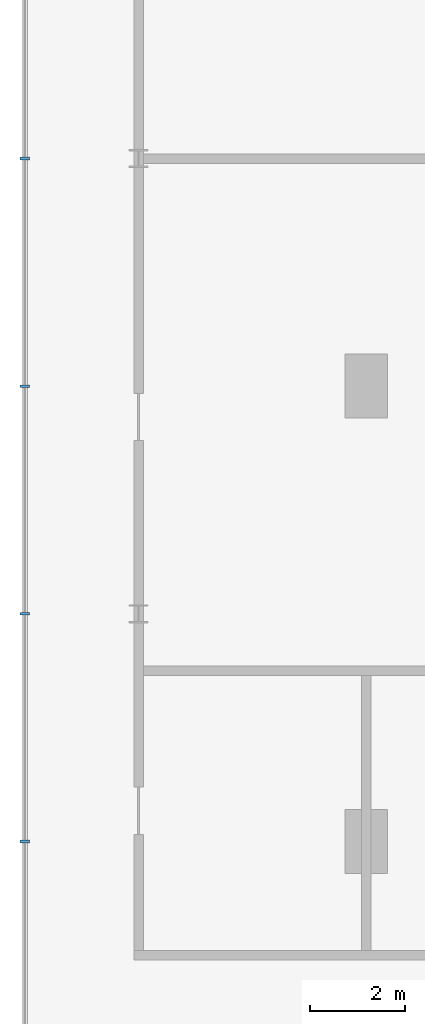
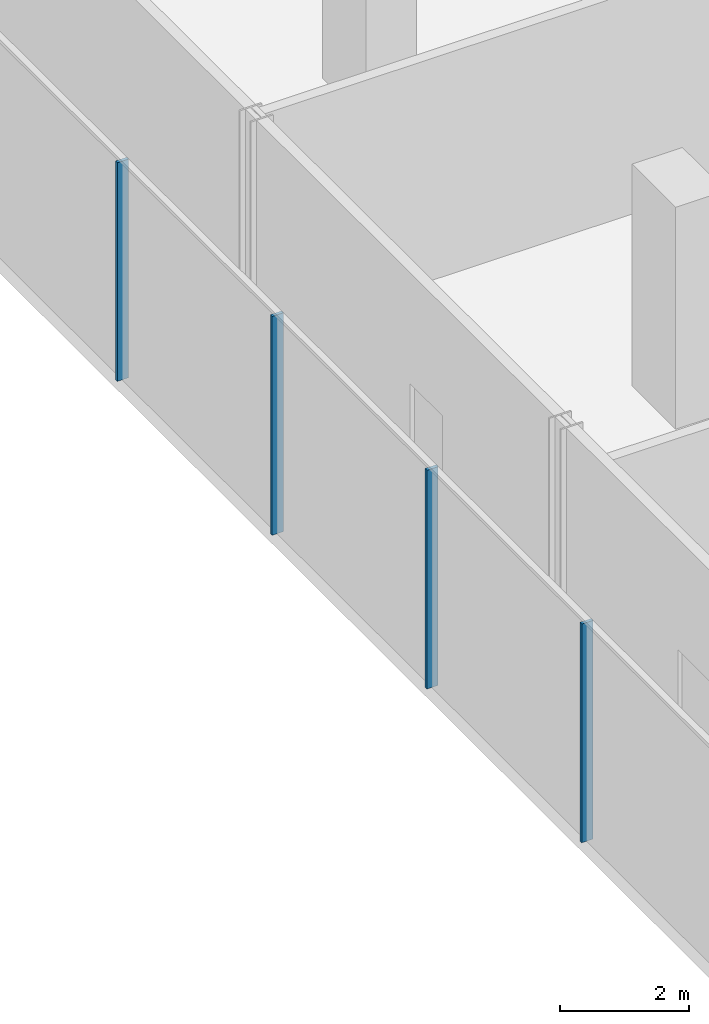
# One storey, part 15 of 45: 4 members, 1 element without a shape of its own.
"""IFC4 building model written with IfcOpenShell, lengths in metres."""

from ifc_helpers import new_model, si_unit, direction, frame, origin, origin_2d, place, context, subcontext, project, spatial, rectangle, extrude, material, layer, layer_set, material_profile, profile_set, type_object, element, aggregate, save


model = new_model("IFC4")

# Units and contexts
model_context = context("Model", 3, precision=1e-05, world=origin(), true_north=direction((0.0, 1.0)))
body_context = subcontext(model_context, "Body", "Model", "MODEL_VIEW")
ifc_project = project(units=[si_unit("LENGTHUNIT", "METRE"), si_unit("AREAUNIT", "SQUARE_METRE"), si_unit("VOLUMEUNIT", "CUBIC_METRE"), si_unit("PLANEANGLEUNIT", "RADIAN"), si_unit("MASSUNIT", "GRAM", prefix="KILO")], contexts=[model_context])

# Site, building, storey
site_placement = place(None, origin())
site = spatial("IfcSite", under=ifc_project, at=site_placement, CompositionType="ELEMENT")
building_placement = place(site_placement, origin())
building = spatial("IfcBuilding", under=site, at=building_placement, Name="Madar Terraces", CompositionType="ELEMENT")
storey_placement = place(building_placement, frame((0.0, 0.0, 6.0)))
storey = spatial("IfcBuildingStorey", under=building, at=storey_placement, Name="L01", CompositionType="ELEMENT", Elevation=6.0)

# Curtain wall, members
ifc_material_1 = material(Name="Glass, clear low-iron, with black aluminium frame", Category="aluminium")
ifc_layer = layer(ifc_material_1, 0.199951171875)
ifc_layer_set = layer_set([ifc_layer], Name="Facade curtain wall, shopfront glazing")
curtain_wall_type = type_object("IfcCurtainWallType", Name="Facade curtain wall, shopfront glazing", PredefinedType="NOTDEFINED", material=ifc_layer_set)
curtain_wall_placement = place(storey_placement, origin())
curtain_wall = element("IfcCurtainWall", 1, at=curtain_wall_placement, inside=storey, type_object=curtain_wall_type, Name="Outer skin curtain wall west bay 1", PredefinedType="NOTDEFINED")
ifc_material_2 = material(Name="Aluminium, black anodised", Category="aluminium")
ifc_material_profile = material_profile(ifc_material_2, rectangle(XDim=0.199951171875, YDim=0.06005859375, at=origin_2d()), Name="Facade mullion 60x200")
ifc_profile_set = profile_set([ifc_material_profile], Name="Aluminium, black anodised")
member_type = type_object("IfcMemberType", Name="Facade mullion 60x200", PredefinedType="MULLION", material=ifc_profile_set)
member_1_placement = place(storey_placement, frame((-7.199951171875, 28.800048828125, 0.0), z_axis=(0.0, 0.0, 1.0), x_axis=(1.0, 0.0, 0.0)))
member_1 = element("IfcMember", 2, at=member_1_placement, type_object=member_type, Name="Mullion 5", PredefinedType="MULLION", context=body_context, shape_type="SweptSolid", body=[
    extrude(rectangle(XDim=0.199951171875, YDim=0.06005859375, at=origin_2d()), origin(), (0.0, 0.0, 1.0), 4.139892578125),
])
member_2_placement = place(storey_placement, frame((-7.199951171875, 24.0, 0.0), z_axis=(0.0, 0.0, 1.0), x_axis=(1.0, 0.0, 0.0)))
member_2 = element("IfcMember", 3, at=member_2_placement, type_object=member_type, Name="Mullion 6", PredefinedType="MULLION", context=body_context, shape_type="SweptSolid", body=[
    extrude(rectangle(XDim=0.199951171875, YDim=0.06005859375, at=origin_2d()), origin(), (0.0, 0.0, 1.0), 4.139892578125),
])
member_3_placement = place(storey_placement, frame((-7.199951171875, 19.199951171875, 0.0), z_axis=(0.0, 0.0, 1.0), x_axis=(1.0, 0.0, 0.0)))
member_3 = element("IfcMember", 4, at=member_3_placement, type_object=member_type, Name="Mullion 7", PredefinedType="MULLION", context=body_context, shape_type="SweptSolid", body=[
    extrude(rectangle(XDim=0.199951171875, YDim=0.06005859375, at=origin_2d()), origin(), (0.0, 0.0, 1.0), 4.139892578125),
])
member_4_placement = place(storey_placement, frame((-7.199951171875, 14.39990234375, 0.0), z_axis=(0.0, 0.0, 1.0), x_axis=(1.0, 0.0, 0.0)))
member_4 = element("IfcMember", 5, at=member_4_placement, type_object=member_type, Name="Mullion 8", PredefinedType="MULLION", context=body_context, shape_type="SweptSolid", body=[
    extrude(rectangle(XDim=0.199951171875, YDim=0.06005859375, at=origin_2d()), origin(), (0.0, 0.0, 1.0), 4.139892578125),
])
aggregate(curtain_wall, [member_1, member_2, member_3, member_4])

save(model, "model.ifc")
